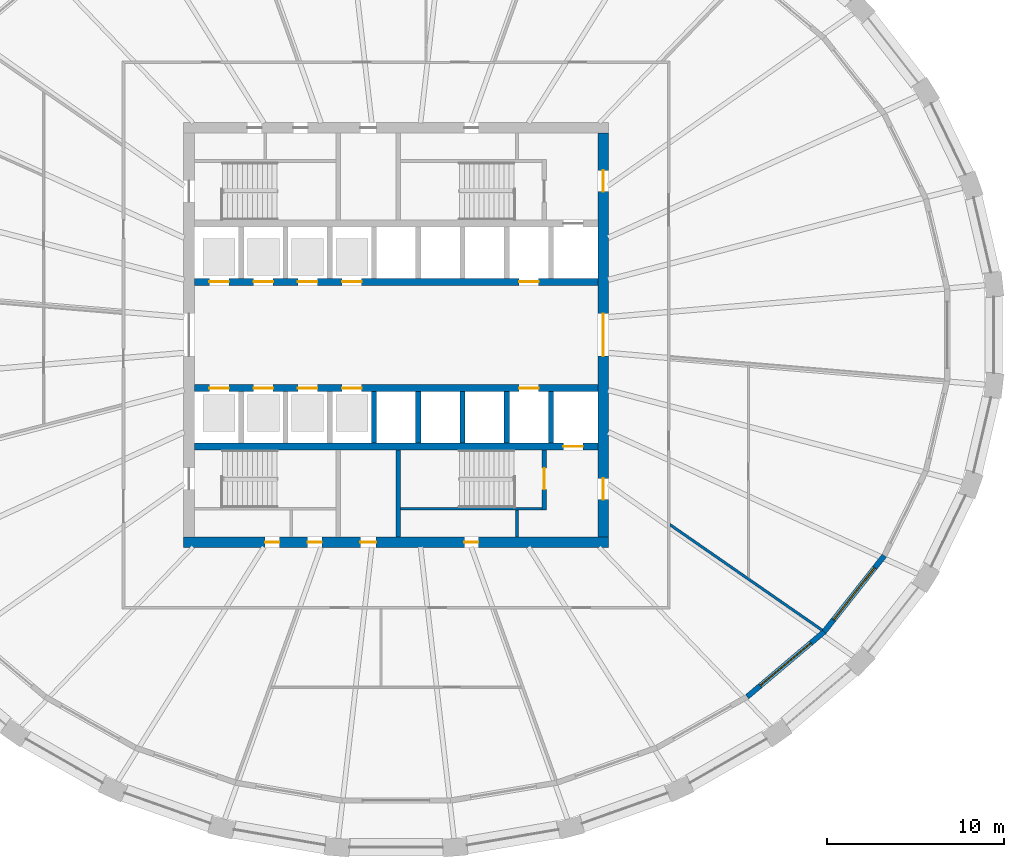
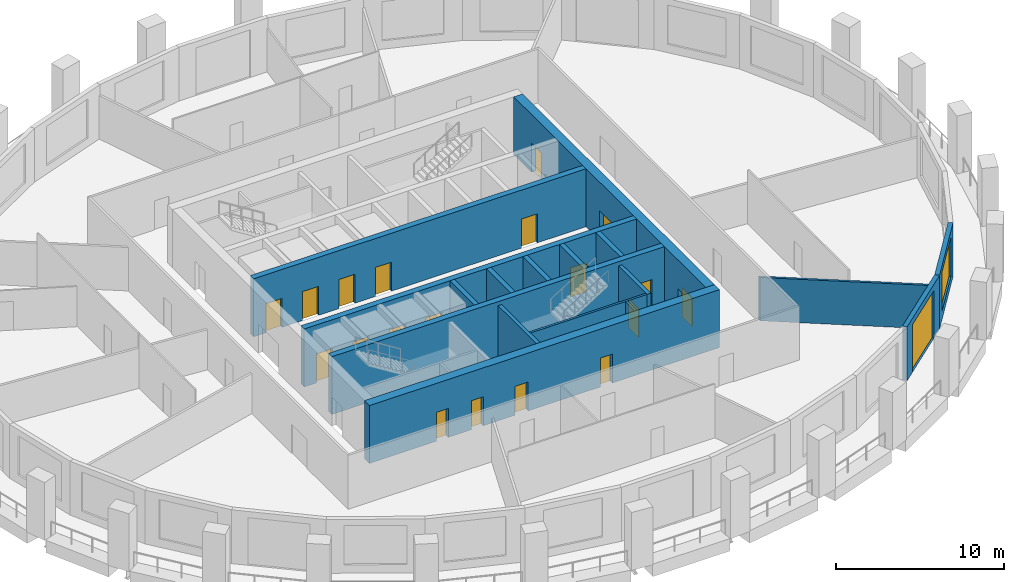
# One storey, part 4 of 10: 20 doors, 17 walls, 1 window, 21 openings.
"""IFC4 building model written with IfcOpenShell, lengths in metres."""

from ifc_helpers import new_model, si_unit, direction, frame, frame_2d, origin, place, context, subcontext, project, spatial, polyline, rectangle, outline, extrude, material, layer, layer_set, type_object, element, fill, save


model = new_model("IFC4")

# Units and contexts
model_context = context("Model", 3, precision=1e-05, world=origin(), true_north=direction((0.0, 1.0)))
body_context = subcontext(model_context, "Body", "Model", "MODEL_VIEW")
ifc_project = project(units=[si_unit("LENGTHUNIT", "METRE"), si_unit("AREAUNIT", "SQUARE_METRE"), si_unit("VOLUMEUNIT", "CUBIC_METRE"), si_unit("PLANEANGLEUNIT", "RADIAN"), si_unit("MASSUNIT", "GRAM", prefix="KILO")], contexts=[model_context])

# Site, building, storey
site_placement = place(None, origin())
site = spatial("IfcSite", under=ifc_project, at=site_placement, CompositionType="ELEMENT")
building_placement = place(site_placement, origin())
building = spatial("IfcBuilding", under=site, at=building_placement, Name="Halqa Exchange Tower", CompositionType="ELEMENT")
storey_placement = place(building_placement, frame((0.0, 0.0, 159.10009765625)))
storey = spatial("IfcBuildingStorey", under=building, at=storey_placement, Name="L36", CompositionType="ELEMENT", Elevation=159.10009765625)

# Walls
ifc_material_1 = material(Name="Fire-rated gypsum board")
ifc_layer_1 = layer(ifc_material_1, 0.14990234375)
ifc_layer_set_1 = layer_set([ifc_layer_1], Name="Fire-rated gypsum board")
wall_type_1 = type_object("IfcWallType", Name="Fire partition EI 60 150", PredefinedType="PARTITIONING", material=ifc_layer_set_1)
wall_1_placement = place(storey_placement, frame((15.4326171875, -10.6923828125, 0.0), z_axis=(0.0, 0.0, 1.0), x_axis=(0.821818585553, -0.569749254006, 0.0)))
element("IfcWall", 1, at=wall_1_placement, inside=storey, type_object=wall_type_1, Name="L36-PWL-023", PredefinedType="PARTITIONING", context=body_context, shape_type="SweptSolid", body=[
    extrude(outline(polyline([(0.103515625, -0.074951171875), (1.83154296875, -0.074951171875), (3.5595703125, -0.074951171875), (5.28759765625, -0.074951171875), (7.015625, -0.074951171875), (8.743896484375, -0.074951171875), (10.471923828125, -0.074951171875), (10.49267578125, 0.002197265625), (10.4970703125, 0.071533203125), (10.4970703125, 0.074951171875), (8.773193359375, 0.074951171875), (7.04931640625, 0.074951171875), (5.325439453125, 0.074951171875), (5.323974609375, 0.07373046875), (5.3232421875, 0.074951171875), (3.548828125, 0.074951171875), (1.7744140625, 0.074951171875), (0.0, 0.074951171875), (0.0, 0.074462890625), (0.103515625, -0.074951171875)])), origin(), (0.0, 0.0, 1.0), 3.14697265625),
])
ifc_material_2 = material(Name="Gypsum board")
ifc_layer_2 = layer(ifc_material_2, 0.14990234375)
ifc_layer_set_2 = layer_set([ifc_layer_2], Name="Gypsum board")
wall_type_2 = type_object("IfcWallType", Name="Penthouse riser wall 150 gypsum", PredefinedType="PARTITIONING", material=ifc_layer_set_2)
wall_2_placement = place(storey_placement, frame((6.824951171875, -11.39990234375, 0.0), z_axis=(0.0, 0.0, 1.0), x_axis=(0.0, 1.0, 0.0)))
element("IfcWall", 2, at=wall_2_placement, inside=storey, type_object=wall_type_2, Name="Firefighting lobby west wall S", PredefinedType="PARTITIONING", context=body_context, shape_type="SweptSolid", body=[
    extrude(rectangle(XDim=1.5, YDim=0.14990234375, at=frame_2d((0.75, 0.0))), origin(), (0.0, 0.0, 1.0), 3.89990234375),
])
ifc_material_3 = material(Name="Concrete C60/75", Category="concrete")
ifc_layer_3 = layer(ifc_material_3, 0.300048828125)
ifc_layer_set_3 = layer_set([ifc_layer_3], Name="Concrete C60/75")
wall_type_3 = type_object("IfcWallType", Name="RC core wall 300", PredefinedType="SHEAR", material=ifc_layer_set_3)
for number, where, z_axis, x_axis, name in (
    (3, (-1.25, -6.10009765625, 0.0), (0.0, 0.0, 1.0), (0.0, 1.0, 0.0), "Shaft divider S4"),
    (4, (1.25, -6.10009765625, 0.0), (0.0, 0.0, 1.0), (0.0, 1.0, 0.0), "Shaft divider S5"),
    (5, (3.75, -6.10009765625, 0.0), (0.0, 0.0, 1.0), (0.0, 1.0, 0.0), "Shaft divider S6"),
    (6, (6.25, -6.10009765625, 0.0), (0.0, 0.0, 1.0), (0.0, 1.0, 0.0), "Shaft divider S7"),
    (7, (8.75, -6.10009765625, 0.0), (0.0, 0.0, 1.0), (0.0, 1.0, 0.0), "Shaft divider S8"),
):
    element("IfcWall", number, at=place(storey_placement, frame(where, z_axis=z_axis, x_axis=x_axis)), inside=storey, type_object=wall_type_3, Name=name, PredefinedType="SHEAR", context=body_context, shape_type="SweptSolid", body=[
        extrude(rectangle(XDim=2.900146484375, YDim=0.300048828125, at=frame_2d((1.4501953125, 0.0))), origin(), (0.0, 0.0, 1.0), 4.199951171875),
    ])

# Wall, openings, doors
ifc_material_4 = material(Name="Concrete C70/85", Category="concrete")
ifc_layer_4 = layer(ifc_material_4, 0.39990234375)
ifc_layer_set_4 = layer_set([ifc_layer_4], Name="Concrete C70/85")
wall_type_4 = type_object("IfcWallType", Name="RC core wall 400 C70/85", PredefinedType="SHEAR", material=ifc_layer_set_4)
wall_3_placement = place(storey_placement, frame((-11.39990234375, 3.0, 0.0), z_axis=(0.0, 0.0, 1.0), x_axis=(1.0, 0.0, 0.0)))
wall_3 = element("IfcWall", 8, at=wall_3_placement, inside=storey, type_object=wall_type_4, Name="Lift row front wall N", PredefinedType="SHEAR", context=body_context, shape_type="SweptSolid", body=[
    extrude(rectangle(XDim=22.7998046875, YDim=0.39990234375, at=frame_2d((11.39990234375, 0.0))), origin(), (0.0, 0.0, 1.0), 4.199951171875),
])
opening_1_placement = place(wall_3_placement, frame((0.85009765625, 0.0, 0.0)))
opening_1 = element("IfcOpeningElement", 9, at=opening_1_placement, cuts=wall_3, Name="Opening LD-LR1-T11", PredefinedType="OPENING", context=body_context, shape_type="SweptSolid", body=[
    extrude(rectangle(XDim=1.10009765625, YDim=2.10009765625, at=frame_2d((0.550048828125, 1.050048828125))), frame((0.0, 0.2119140625, 0.0), z_axis=(0.0, -1.0, 0.0), x_axis=(1.0, 0.0, 0.0)), (0.0, 0.0, 1.0), 0.423828125),
])
opening_2_placement = place(wall_3_placement, frame((3.35009765625, 0.0, 0.0)))
opening_2 = element("IfcOpeningElement", 10, at=opening_2_placement, cuts=wall_3, Name="Opening LD-LR2-T11", PredefinedType="OPENING", context=body_context, shape_type="SweptSolid", body=[
    extrude(rectangle(XDim=1.10009765625, YDim=2.10009765625, at=frame_2d((0.550048828125, 1.050048828125))), frame((0.0, 0.2119140625, 0.0), z_axis=(0.0, -1.0, 0.0), x_axis=(1.0, 0.0, 0.0)), (0.0, 0.0, 1.0), 0.423828125),
])
opening_3_placement = place(wall_3_placement, frame((5.85009765625, 0.0, 0.0)))
opening_3 = element("IfcOpeningElement", 11, at=opening_3_placement, cuts=wall_3, Name="Opening LD-LR3-T11", PredefinedType="OPENING", context=body_context, shape_type="SweptSolid", body=[
    extrude(rectangle(XDim=1.10009765625, YDim=2.10009765625, at=frame_2d((0.550048828125, 1.050048828125))), frame((0.0, 0.2119140625, 0.0), z_axis=(0.0, -1.0, 0.0), x_axis=(1.0, 0.0, 0.0)), (0.0, 0.0, 1.0), 0.423828125),
])
opening_4_placement = place(wall_3_placement, frame((8.35009765625, 0.0, 0.0)))
opening_4 = element("IfcOpeningElement", 12, at=opening_4_placement, cuts=wall_3, Name="Opening LD-LR4-T11", PredefinedType="OPENING", context=body_context, shape_type="SweptSolid", body=[
    extrude(rectangle(XDim=1.10009765625, YDim=2.10009765625, at=frame_2d((0.550048828125, 1.050048828125))), frame((0.0, 0.2119140625, 0.0), z_axis=(0.0, -1.0, 0.0), x_axis=(1.0, 0.0, 0.0)), (0.0, 0.0, 1.0), 0.423828125),
])
opening_5_placement = place(wall_3_placement, frame((18.35009765625, 0.0, 0.0)))
opening_5 = element("IfcOpeningElement", 13, at=opening_5_placement, cuts=wall_3, Name="Opening LD-SV1-T11", PredefinedType="OPENING", context=body_context, shape_type="SweptSolid", body=[
    extrude(rectangle(XDim=1.10009765625, YDim=2.10009765625, at=frame_2d((0.550048828125, 1.050048828125))), frame((0.0, 0.2119140625, 0.0), z_axis=(0.0, -1.0, 0.0), x_axis=(1.0, 0.0, 0.0)), (0.0, 0.0, 1.0), 0.423828125),
])
ifc_material_5 = material(Name="Stainless steel", Category="steel")
door_type_1 = type_object("IfcDoorType", Name="Lift landing door 1100 x 2100", OperationType="SLIDING_TO_LEFT", PredefinedType="DOOR", material=ifc_material_5)
door_1_placement = place(opening_1_placement, origin())
door_1 = element("IfcDoor", 14, at=door_1_placement, inside=storey, type_object=door_type_1, Name="Lift landing door LR1", OperationType="SLIDING_TO_LEFT", OverallHeight=2.10009765625, OverallWidth=1.10009765625, PredefinedType="DOOR", context=body_context, shape_type="SweptSolid", body=[
    extrude(rectangle(XDim=1.10009765625, YDim=2.10009765625, at=frame_2d((0.550048828125, 1.050048828125))), frame((0.0, 0.02490234375, 0.0), z_axis=(0.0, -1.0, 0.0), x_axis=(1.0, 0.0, 0.0)), (0.0, 0.0, 1.0), 0.050048828125),
])
fill(opening_1, door_1)
door_2_placement = place(opening_2_placement, origin())
door_2 = element("IfcDoor", 15, at=door_2_placement, inside=storey, type_object=door_type_1, Name="Lift landing door LR2", OperationType="SLIDING_TO_LEFT", OverallHeight=2.10009765625, OverallWidth=1.10009765625, PredefinedType="DOOR", context=body_context, shape_type="SweptSolid", body=[
    extrude(rectangle(XDim=1.10009765625, YDim=2.10009765625, at=frame_2d((0.550048828125, 1.050048828125))), frame((0.0, 0.02490234375, 0.0), z_axis=(0.0, -1.0, 0.0), x_axis=(1.0, 0.0, 0.0)), (0.0, 0.0, 1.0), 0.050048828125),
])
fill(opening_2, door_2)
door_3_placement = place(opening_3_placement, origin())
door_3 = element("IfcDoor", 16, at=door_3_placement, inside=storey, type_object=door_type_1, Name="Lift landing door LR3", OperationType="SLIDING_TO_LEFT", OverallHeight=2.10009765625, OverallWidth=1.10009765625, PredefinedType="DOOR", context=body_context, shape_type="SweptSolid", body=[
    extrude(rectangle(XDim=1.10009765625, YDim=2.10009765625, at=frame_2d((0.550048828125, 1.050048828125))), frame((0.0, 0.02490234375, 0.0), z_axis=(0.0, -1.0, 0.0), x_axis=(1.0, 0.0, 0.0)), (0.0, 0.0, 1.0), 0.050048828125),
])
fill(opening_3, door_3)
door_4_placement = place(opening_4_placement, origin())
door_4 = element("IfcDoor", 17, at=door_4_placement, inside=storey, type_object=door_type_1, Name="Lift landing door LR4", OperationType="SLIDING_TO_LEFT", OverallHeight=2.10009765625, OverallWidth=1.10009765625, PredefinedType="DOOR", context=body_context, shape_type="SweptSolid", body=[
    extrude(rectangle(XDim=1.10009765625, YDim=2.10009765625, at=frame_2d((0.550048828125, 1.050048828125))), frame((0.0, 0.02490234375, 0.0), z_axis=(0.0, -1.0, 0.0), x_axis=(1.0, 0.0, 0.0)), (0.0, 0.0, 1.0), 0.050048828125),
])
fill(opening_4, door_4)
door_5_placement = place(opening_5_placement, origin())
door_5 = element("IfcDoor", 18, at=door_5_placement, inside=storey, type_object=door_type_1, Name="Lift landing door SV1", OperationType="SLIDING_TO_LEFT", OverallHeight=2.10009765625, OverallWidth=1.10009765625, PredefinedType="DOOR", context=body_context, shape_type="SweptSolid", body=[
    extrude(rectangle(XDim=1.10009765625, YDim=2.10009765625, at=frame_2d((0.550048828125, 1.050048828125))), frame((0.0, 0.02490234375, 0.0), z_axis=(0.0, -1.0, 0.0), x_axis=(1.0, 0.0, 0.0)), (0.0, 0.0, 1.0), 0.050048828125),
])
fill(opening_5, door_5)

wall_4_placement = place(storey_placement, frame((-11.39990234375, -3.0, 0.0), z_axis=(0.0, 0.0, 1.0), x_axis=(1.0, 0.0, 0.0)))
wall_4 = element("IfcWall", 19, at=wall_4_placement, inside=storey, type_object=wall_type_4, Name="Lift row front wall S", PredefinedType="SHEAR", context=body_context, shape_type="SweptSolid", body=[
    extrude(rectangle(XDim=22.7998046875, YDim=0.39990234375, at=frame_2d((11.39990234375, 0.0))), origin(), (0.0, 0.0, 1.0), 4.199951171875),
])
opening_6_placement = place(wall_4_placement, frame((0.85009765625, 0.0, 0.0)))
opening_6 = element("IfcOpeningElement", 20, at=opening_6_placement, cuts=wall_4, Name="Opening LD-LR5-T11", PredefinedType="OPENING", context=body_context, shape_type="SweptSolid", body=[
    extrude(rectangle(XDim=1.10009765625, YDim=2.10009765625, at=frame_2d((0.550048828125, 1.050048828125))), frame((0.0, 0.2119140625, 0.0), z_axis=(0.0, -1.0, 0.0), x_axis=(1.0, 0.0, 0.0)), (0.0, 0.0, 1.0), 0.423828125),
])
opening_7_placement = place(wall_4_placement, frame((3.35009765625, 0.0, 0.0)))
opening_7 = element("IfcOpeningElement", 21, at=opening_7_placement, cuts=wall_4, Name="Opening LD-LR6-T11", PredefinedType="OPENING", context=body_context, shape_type="SweptSolid", body=[
    extrude(rectangle(XDim=1.10009765625, YDim=2.10009765625, at=frame_2d((0.550048828125, 1.050048828125))), frame((0.0, 0.2119140625, 0.0), z_axis=(0.0, -1.0, 0.0), x_axis=(1.0, 0.0, 0.0)), (0.0, 0.0, 1.0), 0.423828125),
])
opening_8_placement = place(wall_4_placement, frame((5.85009765625, 0.0, 0.0)))
opening_8 = element("IfcOpeningElement", 22, at=opening_8_placement, cuts=wall_4, Name="Opening LD-LR7-T11", PredefinedType="OPENING", context=body_context, shape_type="SweptSolid", body=[
    extrude(rectangle(XDim=1.10009765625, YDim=2.10009765625, at=frame_2d((0.550048828125, 1.050048828125))), frame((0.0, 0.2119140625, 0.0), z_axis=(0.0, -1.0, 0.0), x_axis=(1.0, 0.0, 0.0)), (0.0, 0.0, 1.0), 0.423828125),
])
opening_9_placement = place(wall_4_placement, frame((8.35009765625, 0.0, 0.0)))
opening_9 = element("IfcOpeningElement", 23, at=opening_9_placement, cuts=wall_4, Name="Opening LD-LR8-T11", PredefinedType="OPENING", context=body_context, shape_type="SweptSolid", body=[
    extrude(rectangle(XDim=1.10009765625, YDim=2.10009765625, at=frame_2d((0.550048828125, 1.050048828125))), frame((0.0, 0.2119140625, 0.0), z_axis=(0.0, -1.0, 0.0), x_axis=(1.0, 0.0, 0.0)), (0.0, 0.0, 1.0), 0.423828125),
])
opening_10_placement = place(wall_4_placement, frame((18.35009765625, 0.0, 0.0)))
opening_10 = element("IfcOpeningElement", 24, at=opening_10_placement, cuts=wall_4, Name="Opening LD-SV2-T11", PredefinedType="OPENING", context=body_context, shape_type="SweptSolid", body=[
    extrude(rectangle(XDim=1.10009765625, YDim=2.10009765625, at=frame_2d((0.550048828125, 1.050048828125))), frame((0.0, 0.2119140625, 0.0), z_axis=(0.0, -1.0, 0.0), x_axis=(1.0, 0.0, 0.0)), (0.0, 0.0, 1.0), 0.423828125),
])
door_6_placement = place(opening_6_placement, origin())
door_6 = element("IfcDoor", 25, at=door_6_placement, inside=storey, type_object=door_type_1, Name="Lift landing door LR5", OperationType="SLIDING_TO_LEFT", OverallHeight=2.10009765625, OverallWidth=1.10009765625, PredefinedType="DOOR", context=body_context, shape_type="SweptSolid", body=[
    extrude(rectangle(XDim=1.10009765625, YDim=2.10009765625, at=frame_2d((0.550048828125, 1.050048828125))), frame((0.0, 0.02490234375, 0.0), z_axis=(0.0, -1.0, 0.0), x_axis=(1.0, 0.0, 0.0)), (0.0, 0.0, 1.0), 0.050048828125),
])
fill(opening_6, door_6)
door_7_placement = place(opening_7_placement, origin())
door_7 = element("IfcDoor", 26, at=door_7_placement, inside=storey, type_object=door_type_1, Name="Lift landing door LR6", OperationType="SLIDING_TO_LEFT", OverallHeight=2.10009765625, OverallWidth=1.10009765625, PredefinedType="DOOR", context=body_context, shape_type="SweptSolid", body=[
    extrude(rectangle(XDim=1.10009765625, YDim=2.10009765625, at=frame_2d((0.550048828125, 1.050048828125))), frame((0.0, 0.02490234375, 0.0), z_axis=(0.0, -1.0, 0.0), x_axis=(1.0, 0.0, 0.0)), (0.0, 0.0, 1.0), 0.050048828125),
])
fill(opening_7, door_7)
door_8_placement = place(opening_8_placement, origin())
door_8 = element("IfcDoor", 27, at=door_8_placement, inside=storey, type_object=door_type_1, Name="Lift landing door LR7", OperationType="SLIDING_TO_LEFT", OverallHeight=2.10009765625, OverallWidth=1.10009765625, PredefinedType="DOOR", context=body_context, shape_type="SweptSolid", body=[
    extrude(rectangle(XDim=1.10009765625, YDim=2.10009765625, at=frame_2d((0.550048828125, 1.050048828125))), frame((0.0, 0.02490234375, 0.0), z_axis=(0.0, -1.0, 0.0), x_axis=(1.0, 0.0, 0.0)), (0.0, 0.0, 1.0), 0.050048828125),
])
fill(opening_8, door_8)
door_9_placement = place(opening_9_placement, origin())
door_9 = element("IfcDoor", 28, at=door_9_placement, inside=storey, type_object=door_type_1, Name="Lift landing door LR8", OperationType="SLIDING_TO_LEFT", OverallHeight=2.10009765625, OverallWidth=1.10009765625, PredefinedType="DOOR", context=body_context, shape_type="SweptSolid", body=[
    extrude(rectangle(XDim=1.10009765625, YDim=2.10009765625, at=frame_2d((0.550048828125, 1.050048828125))), frame((0.0, 0.02490234375, 0.0), z_axis=(0.0, -1.0, 0.0), x_axis=(1.0, 0.0, 0.0)), (0.0, 0.0, 1.0), 0.050048828125),
])
fill(opening_9, door_9)
door_10_placement = place(opening_10_placement, origin())
door_10 = element("IfcDoor", 29, at=door_10_placement, inside=storey, type_object=door_type_1, Name="Lift landing door SV2", OperationType="SLIDING_TO_LEFT", OverallHeight=2.10009765625, OverallWidth=1.10009765625, PredefinedType="DOOR", context=body_context, shape_type="SweptSolid", body=[
    extrude(rectangle(XDim=1.10009765625, YDim=2.10009765625, at=frame_2d((0.550048828125, 1.050048828125))), frame((0.0, 0.02490234375, 0.0), z_axis=(0.0, -1.0, 0.0), x_axis=(1.0, 0.0, 0.0)), (0.0, 0.0, 1.0), 0.050048828125),
])
fill(opening_10, door_10)

# Wall, opening, door
wall_5_placement = place(storey_placement, frame((-11.39990234375, -6.300048828125, 0.0), z_axis=(0.0, 0.0, 1.0), x_axis=(1.0, 0.0, 0.0)))
wall_5 = element("IfcWall", 30, at=wall_5_placement, inside=storey, type_object=wall_type_4, Name="Lift row back wall S", PredefinedType="SHEAR", context=body_context, shape_type="SweptSolid", body=[
    extrude(rectangle(XDim=22.7998046875, YDim=0.39990234375, at=frame_2d((11.39990234375, 0.0))), origin(), (0.0, 0.0, 1.0), 4.199951171875),
])
opening_11_placement = place(wall_5_placement, frame((20.85009765625, 0.0, 0.0)))
opening_11 = element("IfcOpeningElement", 31, at=opening_11_placement, cuts=wall_5, Name="Opening LD-FF2-T11", PredefinedType="OPENING", context=body_context, shape_type="SweptSolid", body=[
    extrude(rectangle(XDim=1.10009765625, YDim=2.10009765625, at=frame_2d((0.550048828125, 1.050048828125))), frame((0.0, 0.2119140625, 0.0), z_axis=(0.0, -1.0, 0.0), x_axis=(1.0, 0.0, 0.0)), (0.0, 0.0, 1.0), 0.423828125),
])
door_11_placement = place(opening_11_placement, origin())
door_11 = element("IfcDoor", 32, at=door_11_placement, inside=storey, type_object=door_type_1, Name="Lift landing door FF2", OperationType="SLIDING_TO_LEFT", OverallHeight=2.10009765625, OverallWidth=1.10009765625, PredefinedType="DOOR", context=body_context, shape_type="SweptSolid", body=[
    extrude(rectangle(XDim=1.10009765625, YDim=2.10009765625, at=frame_2d((0.550048828125, 1.050048828125))), frame((0.0, 0.02490234375, 0.0), z_axis=(0.0, -1.0, 0.0), x_axis=(1.0, 0.0, 0.0)), (0.0, 0.0, 1.0), 0.050048828125),
])
fill(opening_11, door_11)

# Wall, openings, doors
ifc_layer_5 = layer(ifc_material_4, 0.60009765625)
ifc_layer_set_5 = layer_set([ifc_layer_5], Name="Concrete C70/85")
wall_type_5 = type_object("IfcWallType", Name="RC core wall 600 C70/85", PredefinedType="SHEAR", material=ifc_layer_set_5)
wall_6_placement = place(storey_placement, frame((-12.0, -11.699951171875, 0.0), z_axis=(0.0, 0.0, 1.0), x_axis=(1.0, 0.0, 0.0)))
wall_6 = element("IfcWall", 33, at=wall_6_placement, inside=storey, type_object=wall_type_5, Name="Core wall south", PredefinedType="SHEAR", context=body_context, shape_type="SweptSolid", body=[
    extrude(rectangle(XDim=24.0, YDim=0.60009765625, at=frame_2d((12.0, 0.0))), origin(), (0.0, 0.0, 1.0), 4.199951171875),
])
opening_12_placement = place(wall_6_placement, frame((9.97509765625, 0.0, 0.0)))
opening_12 = element("IfcOpeningElement", 34, at=opening_12_placement, cuts=wall_6, Name="Opening T11-C25", PredefinedType="OPENING", context=body_context, shape_type="SweptSolid", body=[
    extrude(rectangle(XDim=0.89990234375, YDim=2.10009765625, at=frame_2d((0.449951171875, 1.050048828125))), frame((0.0, 0.31201171875, 0.0), z_axis=(0.0, -1.0, 0.0), x_axis=(1.0, 0.0, 0.0)), (0.0, 0.0, 1.0), 0.6240234375),
])
opening_13_placement = place(wall_6_placement, frame((4.60009765625, 0.0, 0.0)))
opening_13 = element("IfcOpeningElement", 35, at=opening_13_placement, cuts=wall_6, Name="Opening T11-C26", PredefinedType="OPENING", context=body_context, shape_type="SweptSolid", body=[
    extrude(rectangle(XDim=0.800048828125, YDim=2.10009765625, at=frame_2d((0.39990234375, 1.050048828125))), frame((0.0, 0.31201171875, 0.0), z_axis=(0.0, -1.0, 0.0), x_axis=(1.0, 0.0, 0.0)), (0.0, 0.0, 1.0), 0.6240234375),
])
opening_14_placement = place(wall_6_placement, frame((7.0, 0.0, 0.0)))
opening_14 = element("IfcOpeningElement", 36, at=opening_14_placement, cuts=wall_6, Name="Opening T11-C27", PredefinedType="OPENING", context=body_context, shape_type="SweptSolid", body=[
    extrude(rectangle(XDim=0.800048828125, YDim=2.10009765625, at=frame_2d((0.39990234375, 1.050048828125))), frame((0.0, 0.31201171875, 0.0), z_axis=(0.0, -1.0, 0.0), x_axis=(1.0, 0.0, 0.0)), (0.0, 0.0, 1.0), 0.6240234375),
])
opening_15_placement = place(wall_6_placement, frame((15.85009765625, 0.0, 0.0)))
opening_15 = element("IfcOpeningElement", 37, at=opening_15_placement, cuts=wall_6, Name="Opening T11-C28", PredefinedType="OPENING", context=body_context, shape_type="SweptSolid", body=[
    extrude(rectangle(XDim=0.800048828125, YDim=2.10009765625, at=frame_2d((0.39990234375, 1.050048828125))), frame((0.0, 0.31201171875, 0.0), z_axis=(0.0, -1.0, 0.0), x_axis=(1.0, 0.0, 0.0)), (0.0, 0.0, 1.0), 0.6240234375),
])
ifc_material_6 = material(Name="Timber fire door leaf", Category="wood")
door_type_2 = type_object("IfcDoorType", Name="Core room door FD30 900 x 2100", OperationType="SINGLE_SWING_LEFT", PredefinedType="DOOR", material=ifc_material_6)
door_12_placement = place(opening_12_placement, origin())
door_12 = element("IfcDoor", 38, at=door_12_placement, inside=storey, type_object=door_type_2, Name="Core room door", OperationType="SINGLE_SWING_RIGHT", OverallHeight=2.10009765625, OverallWidth=0.89990234375, PredefinedType="DOOR", context=body_context, shape_type="SweptSolid", body=[
    extrude(rectangle(XDim=0.89990234375, YDim=2.10009765625, at=frame_2d((0.449951171875, 1.050048828125))), frame((0.0, 0.02490234375, 0.0), z_axis=(0.0, -1.0, 0.0), x_axis=(1.0, 0.0, 0.0)), (0.0, 0.0, 1.0), 0.050048828125),
])
fill(opening_12, door_12)
ifc_material_7 = material(Name="Steel fire door leaf", Category="steel")
door_type_3 = type_object("IfcDoorType", Name="Riser door FD60 800 x 2100", OperationType="SINGLE_SWING_LEFT", PredefinedType="DOOR", material=ifc_material_7)
door_13_placement = place(opening_13_placement, origin())
door_13 = element("IfcDoor", 39, at=door_13_placement, inside=storey, type_object=door_type_3, Name="Core room door", OperationType="SINGLE_SWING_LEFT", OverallHeight=2.10009765625, OverallWidth=0.800048828125, PredefinedType="DOOR", context=body_context, shape_type="SweptSolid", body=[
    extrude(rectangle(XDim=0.800048828125, YDim=2.10009765625, at=frame_2d((0.39990234375, 1.050048828125))), frame((0.0, 0.02490234375, 0.0), z_axis=(0.0, -1.0, 0.0), x_axis=(1.0, 0.0, 0.0)), (0.0, 0.0, 1.0), 0.050048828125),
])
fill(opening_13, door_13)
door_14_placement = place(opening_14_placement, origin())
door_14 = element("IfcDoor", 40, at=door_14_placement, inside=storey, type_object=door_type_3, Name="Core room door", OperationType="SINGLE_SWING_RIGHT", OverallHeight=2.10009765625, OverallWidth=0.800048828125, PredefinedType="DOOR", context=body_context, shape_type="SweptSolid", body=[
    extrude(rectangle(XDim=0.800048828125, YDim=2.10009765625, at=frame_2d((0.39990234375, 1.050048828125))), frame((0.0, 0.02490234375, 0.0), z_axis=(0.0, -1.0, 0.0), x_axis=(1.0, 0.0, 0.0)), (0.0, 0.0, 1.0), 0.050048828125),
])
fill(opening_14, door_14)
door_15_placement = place(opening_15_placement, origin())
door_15 = element("IfcDoor", 41, at=door_15_placement, inside=storey, type_object=door_type_3, Name="Core room door", OperationType="SINGLE_SWING_LEFT", OverallHeight=2.10009765625, OverallWidth=0.800048828125, PredefinedType="DOOR", context=body_context, shape_type="SweptSolid", body=[
    extrude(rectangle(XDim=0.800048828125, YDim=2.10009765625, at=frame_2d((0.39990234375, 1.050048828125))), frame((0.0, 0.02490234375, 0.0), z_axis=(0.0, -1.0, 0.0), x_axis=(1.0, 0.0, 0.0)), (0.0, 0.0, 1.0), 0.050048828125),
])
fill(opening_15, door_15)

wall_7_placement = place(storey_placement, frame((11.699951171875, -11.39990234375, 0.0), z_axis=(0.0, 0.0, 1.0), x_axis=(0.0, 1.0, 0.0)))
wall_7 = element("IfcWall", 42, at=wall_7_placement, inside=storey, type_object=wall_type_5, Name="Core wall east", PredefinedType="SHEAR", context=body_context, shape_type="SweptSolid", body=[
    extrude(rectangle(XDim=22.7998046875, YDim=0.60009765625, at=frame_2d((11.39990234375, 0.0))), origin(), (0.0, 0.0, 1.0), 4.199951171875),
])
opening_16_placement = place(wall_7_placement, frame((10.199951171875, 0.0, 0.0)))
opening_16 = element("IfcOpeningElement", 43, at=opening_16_placement, cuts=wall_7, Name="Opening T11-C14", PredefinedType="OPENING", context=body_context, shape_type="SweptSolid", body=[
    extrude(rectangle(XDim=2.39990234375, YDim=2.10009765625, at=frame_2d((1.199951171875, 1.050048828125))), frame((0.0, 0.31201171875, 0.0), z_axis=(0.0, -1.0, 0.0), x_axis=(1.0, 0.0, 0.0)), (0.0, 0.0, 1.0), 0.6240234375),
])
opening_17_placement = place(wall_7_placement, frame((19.5, 0.0, 0.0)))
opening_17 = element("IfcOpeningElement", 44, at=opening_17_placement, cuts=wall_7, Name="Opening T11-C19", PredefinedType="OPENING", context=body_context, shape_type="SweptSolid", body=[
    extrude(rectangle(XDim=1.199951171875, YDim=2.10009765625, at=frame_2d((0.60009765625, 1.050048828125))), frame((0.0, 0.31201171875, 0.0), z_axis=(0.0, -1.0, 0.0), x_axis=(1.0, 0.0, 0.0)), (0.0, 0.0, 1.0), 0.6240234375),
])
opening_18_placement = place(wall_7_placement, frame((2.10009765625, 0.0, 0.0)))
opening_18 = element("IfcOpeningElement", 45, at=opening_18_placement, cuts=wall_7, Name="Opening T11-C20", PredefinedType="OPENING", context=body_context, shape_type="SweptSolid", body=[
    extrude(rectangle(XDim=1.199951171875, YDim=2.10009765625, at=frame_2d((0.60009765625, 1.050048828125))), frame((0.0, 0.31201171875, 0.0), z_axis=(0.0, -1.0, 0.0), x_axis=(1.0, 0.0, 0.0)), (0.0, 0.0, 1.0), 0.6240234375),
])
door_type_4 = type_object("IfcDoorType", Name="Firefighting lobby door FD90 1200 x 2100", OperationType="SINGLE_SWING_RIGHT", PredefinedType="DOOR", material=ifc_material_7)
door_16_placement = place(opening_17_placement, origin())
door_16 = element("IfcDoor", 46, at=door_16_placement, inside=storey, type_object=door_type_4, Name="Firefighting lobby door", OperationType="SINGLE_SWING_RIGHT", OverallHeight=2.10009765625, OverallWidth=1.199951171875, PredefinedType="DOOR", context=body_context, shape_type="SweptSolid", body=[
    extrude(rectangle(XDim=1.199951171875, YDim=2.10009765625, at=frame_2d((0.60009765625, 1.050048828125))), frame((0.0, 0.02490234375, 0.0), z_axis=(0.0, -1.0, 0.0), x_axis=(1.0, 0.0, 0.0)), (0.0, 0.0, 1.0), 0.050048828125),
])
fill(opening_17, door_16)
door_17_placement = place(opening_18_placement, origin())
door_17 = element("IfcDoor", 47, at=door_17_placement, inside=storey, type_object=door_type_4, Name="Firefighting lobby door", OperationType="SINGLE_SWING_LEFT", OverallHeight=2.10009765625, OverallWidth=1.199951171875, PredefinedType="DOOR", context=body_context, shape_type="SweptSolid", body=[
    extrude(rectangle(XDim=1.199951171875, YDim=2.10009765625, at=frame_2d((0.60009765625, 1.050048828125))), frame((0.0, 0.02490234375, 0.0), z_axis=(0.0, -1.0, 0.0), x_axis=(1.0, 0.0, 0.0)), (0.0, 0.0, 1.0), 0.050048828125),
])
fill(opening_18, door_17)
door_type_5 = type_object("IfcDoorType", Name="Lobby double door FD60 2400 x 2100", OperationType="DOUBLE_DOOR_SINGLE_SWING", PredefinedType="DOOR", material=ifc_material_7)
door_18_placement = place(opening_16_placement, origin())
door_18 = element("IfcDoor", 48, at=door_18_placement, inside=storey, type_object=door_type_5, Name="Lift lobby double door", OperationType="DOUBLE_DOOR_SINGLE_SWING", OverallHeight=2.10009765625, OverallWidth=2.39990234375, PredefinedType="DOOR", context=body_context, shape_type="SweptSolid", body=[
    extrude(rectangle(XDim=2.39990234375, YDim=2.10009765625, at=frame_2d((1.199951171875, 1.050048828125))), frame((0.0, 0.02490234375, 0.0), z_axis=(0.0, -1.0, 0.0), x_axis=(1.0, 0.0, 0.0)), (0.0, 0.0, 1.0), 0.050048828125),
])
fill(opening_16, door_18)

# Walls
ifc_material_8 = material(Name="Concrete C30/37", Category="concrete")
ifc_layer_6 = layer(ifc_material_8, 0.14990234375)
ifc_layer_set_6 = layer_set([ifc_layer_6], Name="Concrete C30/37")
wall_type_6 = type_object("IfcWallType", Name="RC stair wall 150 C30/37", PredefinedType="SHEAR", material=ifc_layer_set_6)
wall_8_placement = place(storey_placement, frame((0.25, -9.824951171875, 0.0), z_axis=(0.0, 0.0, 1.0), x_axis=(1.0, 0.0, 0.0)))
element("IfcWall", 49, at=wall_8_placement, inside=storey, type_object=wall_type_6, Name="Stair ST2 north wall S", PredefinedType="SHEAR", context=body_context, shape_type="SweptSolid", body=[
    extrude(rectangle(XDim=8.0, YDim=0.14990234375, at=frame_2d((4.0, 0.0))), origin(), (0.0, 0.0, 1.0), 3.89990234375),
])
ifc_layer_7 = layer(ifc_material_8, 0.25)
ifc_layer_set_7 = layer_set([ifc_layer_7], Name="Concrete C30/37")
wall_type_7 = type_object("IfcWallType", Name="RC stair wall 250 C30/37", PredefinedType="SHEAR", material=ifc_layer_set_7)
wall_9_placement = place(storey_placement, frame((0.125, -11.39990234375, 0.0), z_axis=(0.0, 0.0, 1.0), x_axis=(0.0, 1.0, 0.0)))
element("IfcWall", 50, at=wall_9_placement, inside=storey, type_object=wall_type_7, Name="Stair ST2 west wall S", PredefinedType="SHEAR", context=body_context, shape_type="SweptSolid", body=[
    extrude(rectangle(XDim=4.89990234375, YDim=0.25, at=frame_2d((2.449951171875, 0.0))), origin(), (0.0, 0.0, 1.0), 3.89990234375),
])

# Wall, opening, door
wall_10_placement = place(storey_placement, frame((8.375, -9.89990234375, 0.0), z_axis=(0.0, 0.0, 1.0), x_axis=(0.0, 1.0, 0.0)))
wall_10 = element("IfcWall", 51, at=wall_10_placement, inside=storey, type_object=wall_type_7, Name="Stair ST2 east wall S", PredefinedType="SHEAR", context=body_context, shape_type="SweptSolid", body=[
    extrude(rectangle(XDim=3.39990234375, YDim=0.25, at=frame_2d((1.699951171875, 0.0))), origin(), (0.0, 0.0, 1.0), 3.89990234375),
])
opening_19_placement = place(wall_10_placement, frame((1.175048828125, 0.0, 0.0)))
opening_19 = element("IfcOpeningElement", 52, at=opening_19_placement, cuts=wall_10, Name="Opening T11-C18", PredefinedType="OPENING", context=body_context, shape_type="SweptSolid", body=[
    extrude(rectangle(XDim=1.199951171875, YDim=2.10009765625, at=frame_2d((0.60009765625, 1.050048828125))), frame((0.0, 0.136962890625, 0.0), z_axis=(0.0, -1.0, 0.0), x_axis=(1.0, 0.0, 0.0)), (0.0, 0.0, 1.0), 0.27392578125),
])
door_type_6 = type_object("IfcDoorType", Name="Stair door FD90 1200 x 2100", OperationType="SINGLE_SWING_LEFT", PredefinedType="DOOR", material=ifc_material_7)
door_19_placement = place(opening_19_placement, origin())
door_19 = element("IfcDoor", 53, at=door_19_placement, inside=storey, type_object=door_type_6, Name="Stair door ST4", OperationType="SINGLE_SWING_RIGHT", OverallHeight=2.10009765625, OverallWidth=1.199951171875, PredefinedType="DOOR", context=body_context, shape_type="SweptSolid", body=[
    extrude(rectangle(XDim=1.199951171875, YDim=2.10009765625, at=frame_2d((0.60009765625, 1.050048828125))), frame((0.0, 0.02490234375, 0.0), z_axis=(0.0, -1.0, 0.0), x_axis=(1.0, 0.0, 0.0)), (0.0, 0.0, 1.0), 0.050048828125),
])
fill(opening_19, door_19)

ifc_material_9 = material(Name="Limestone cladding", Category="masonry")
ifc_layer_8 = layer(ifc_material_9, 0.0400390625)
ifc_material_10 = material(Name="Ventilated cavity")
ifc_layer_9 = layer(ifc_material_10, 0.030029296875, ventilated=True)
ifc_material_11 = material(Name="Mineral wool insulation")
ifc_layer_10 = layer(ifc_material_11, 0.10009765625)
ifc_layer_11 = layer(ifc_material_8, 0.10009765625)
ifc_material_12 = material(Name="Internal plaster")
ifc_layer_12 = layer(ifc_material_12, 0.030029296875)
ifc_layer_set_8 = layer_set([ifc_layer_8, ifc_layer_9, ifc_layer_10, ifc_layer_11, ifc_layer_12], Name="Stone-faced insulated wall 300")
wall_type_8 = type_object("IfcWallType", Name="Stone-faced insulated wall 300", PredefinedType="STANDARD", material=ifc_layer_set_8)
wall_11_placement = place(storey_placement, frame((19.8291015625, -20.434814453125, 0.0), z_axis=(0.0, 0.0, 1.0), x_axis=(0.764076096085, 0.645126126732, 0.0)))
wall_11 = element("IfcWall", 54, at=wall_11_placement, inside=storey, type_object=wall_type_8, Name="Glass-line wall 28", PredefinedType="STANDARD", context=body_context, shape_type="SweptSolid", body=[
    extrude(outline(polyline([(-0.01416015625, -0.14990234375), (5.690185546875, -0.14990234375), (5.659912109375, 0.14990234375), (0.01416015625, 0.14990234375), (-0.01416015625, -0.14990234375)])), origin(), (0.0, 0.0, 1.0), 3.89990234375),
])
opening_20_placement = place(wall_11_placement, frame((0.96240234375, 0.0, 0.0)))
opening_20 = element("IfcOpeningElement", 55, at=opening_20_placement, cuts=wall_11, Name="Opening LG-F2-07", PredefinedType="OPENING", context=body_context, shape_type="SweptSolid", body=[
    extrude(rectangle(XDim=3.75, YDim=3.449951171875, at=frame_2d((1.875, 1.72509765625))), frame((0.0, 0.162109375, 0.0), z_axis=(0.0, -1.0, 0.0), x_axis=(1.0, 0.0, 0.0)), (0.0, 0.0, 1.0), 0.323974609375),
])
ifc_material_13 = material(Name="Clear low-emissivity glass in aluminium frame", Category="aluminium")
door_type_7 = type_object("IfcDoorType", Name="Glazed sliding loggia door 3750 x 3450", OperationType="DOUBLE_DOOR_SLIDING", PredefinedType="DOOR", material=ifc_material_13)
door_20_placement = place(opening_20_placement, origin())
door_20 = element("IfcDoor", 56, at=door_20_placement, inside=storey, type_object=door_type_7, Name="Loggia door 7", OperationType="DOUBLE_DOOR_SLIDING", OverallHeight=3.449951171875, OverallWidth=3.75, PredefinedType="DOOR", context=body_context, shape_type="SweptSolid", body=[
    extrude(rectangle(XDim=3.75, YDim=3.449951171875, at=frame_2d((1.875, 1.72509765625))), frame((0.0, 0.02490234375, 0.0), z_axis=(0.0, -1.0, 0.0), x_axis=(1.0, 0.0, 0.0)), (0.0, 0.0, 1.0), 0.050048828125),
])
fill(opening_20, door_20)

# Wall, opening, window
wall_12_placement = place(storey_placement, frame((24.165283203125, -16.773681640625, 0.0), z_axis=(0.0, 0.0, 1.0), x_axis=(0.620577705153, 0.784144955902, 0.0)))
wall_12 = element("IfcWall", 57, at=wall_12_placement, inside=storey, type_object=wall_type_8, Name="Glass-line wall 29", PredefinedType="STANDARD", context=body_context, shape_type="SweptSolid", body=[
    extrude(outline(polyline([(-0.01513671875, -0.14990234375), (5.5087890625, -0.14990234375), (5.4765625, 0.14990234375), (0.01513671875, 0.14990234375), (-0.01513671875, -0.14990234375)])), origin(), (0.0, 0.0, 1.0), 3.89990234375),
])
opening_21_placement = place(wall_12_placement, frame((0.871337890625, 0.0, 0.60009765625)))
opening_21 = element("IfcOpeningElement", 58, at=opening_21_placement, cuts=wall_12, Name="Opening W-F2-29", PredefinedType="OPENING", context=body_context, shape_type="SweptSolid", body=[
    extrude(rectangle(XDim=3.75, YDim=2.85009765625, at=frame_2d((1.875, 1.425048828125))), frame((0.0, 0.162109375, 0.0), z_axis=(0.0, -1.0, 0.0), x_axis=(1.0, 0.0, 0.0)), (0.0, 0.0, 1.0), 0.323974609375),
])
window_type = type_object("IfcWindowType", Name="Fixed clear glazed window 3750 x 2850", PartitioningType="TRIPLE_PANEL_VERTICAL", PredefinedType="WINDOW", material=ifc_material_13)
window_placement = place(opening_21_placement, origin())
window = element("IfcWindow", 59, at=window_placement, inside=storey, type_object=window_type, Name="Window 2", OverallHeight=2.85009765625, OverallWidth=3.75, PartitioningType="TRIPLE_PANEL_VERTICAL", PredefinedType="WINDOW", context=body_context, shape_type="SweptSolid", body=[
    extrude(rectangle(XDim=3.75, YDim=2.85009765625, at=frame_2d((1.875, 1.425048828125))), frame((0.0, 0.030029296875, 0.0), z_axis=(0.0, -1.0, 0.0), x_axis=(1.0, 0.0, 0.0)), (0.0, 0.0, 1.0), 0.06005859375),
])
fill(opening_21, window)

save(model, "model.ifc")
